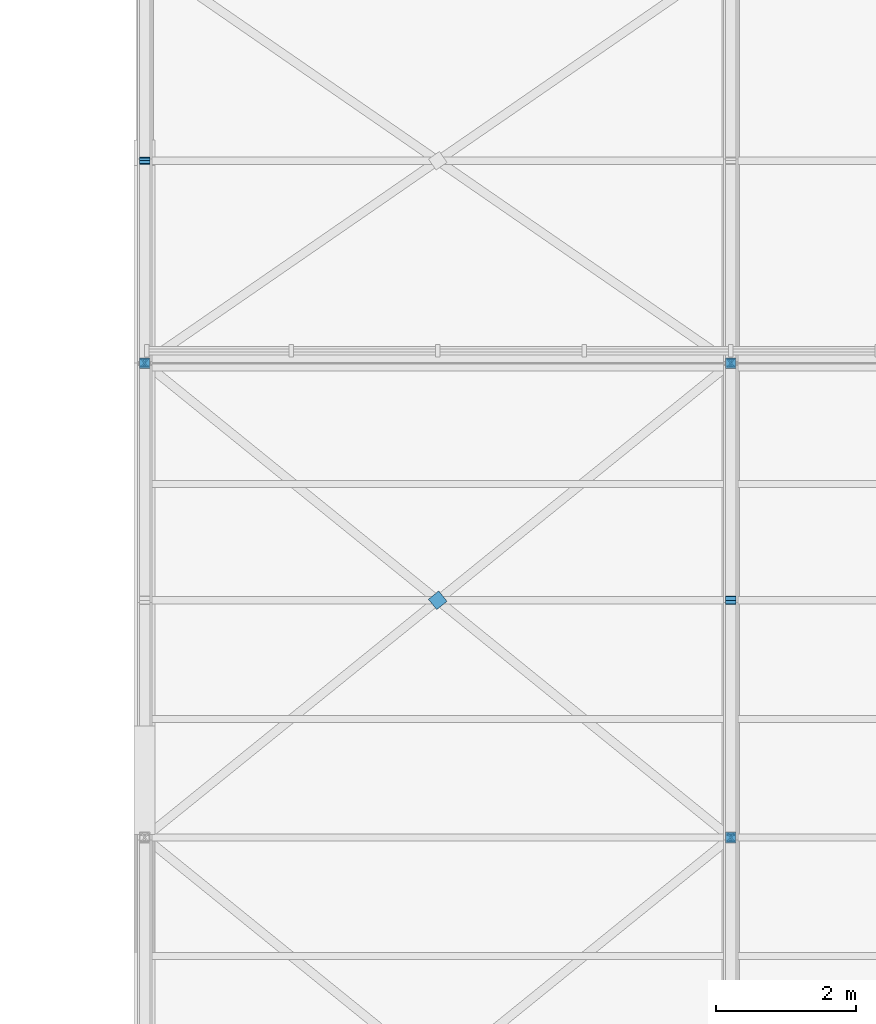
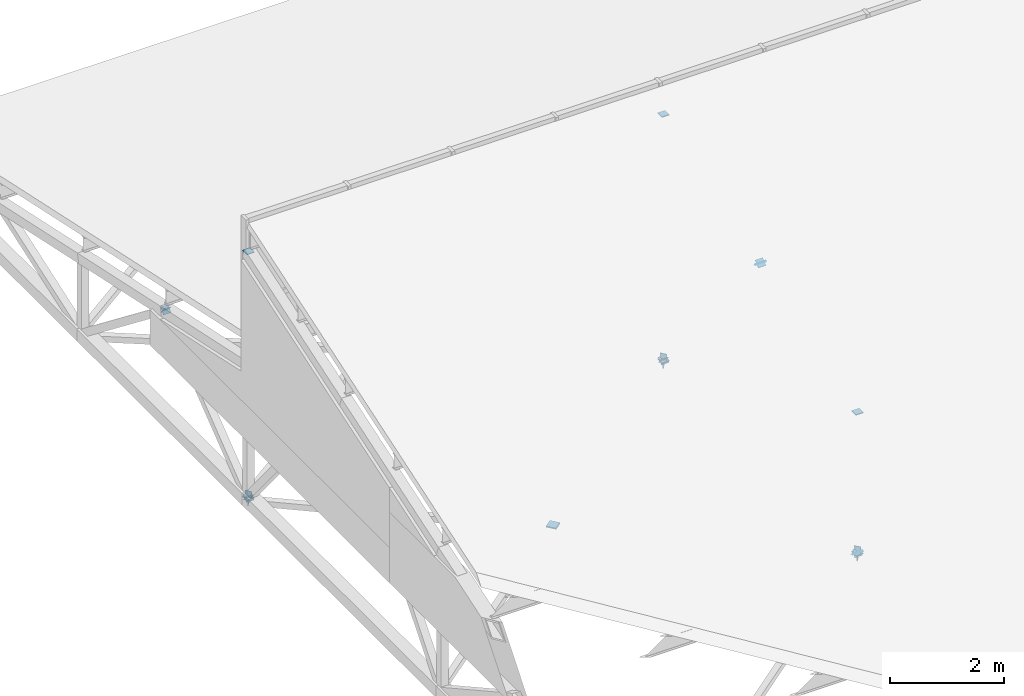
# One storey, part 65 of 89: 23 discrete accessories.
"""IFC4 building model written with IfcOpenShell, lengths in metres."""

from ifc_helpers import new_model, si_unit, direction, frame, origin, origin_2d, place, context, subcontext, project, spatial, rectangle, extrude, material, element, save


model = new_model("IFC4")

# Units and contexts
model_context = context("Model", 3, precision=1e-05, world=origin(), true_north=direction((0.0, 1.0)))
body_context = subcontext(model_context, "Body", "Model", "MODEL_VIEW")
ifc_project = project(units=[si_unit("LENGTHUNIT", "METRE"), si_unit("AREAUNIT", "SQUARE_METRE"), si_unit("VOLUMEUNIT", "CUBIC_METRE"), si_unit("PLANEANGLEUNIT", "RADIAN"), si_unit("MASSUNIT", "GRAM", prefix="KILO")], contexts=[model_context])

# Site, building, storey
site_placement = place(None, origin())
site = spatial("IfcSite", under=ifc_project, at=site_placement, CompositionType="ELEMENT")
building_placement = place(site_placement, origin())
building = spatial("IfcBuilding", under=site, at=building_placement, Name="Hlaing Beacon Police Headquarters", CompositionType="ELEMENT")
storey_placement = place(building_placement, frame((0.0, 0.0, 9.89990234375)))
storey = spatial("IfcBuildingStorey", under=building, at=storey_placement, Name="L02", CompositionType="ELEMENT", Elevation=9.89990234375)

# Discrete accessories
ifc_material = material(Name="Steel ASTM A572 Grade 50", Category="steel")
for number, where, z_axis, x_axis, name in (
    (1, (92.39990234375, 22.0, -1.36474609375), (0.0, 0.0, -1.0), (1.0, 0.0, 0.0), "Gusset plate GP-523"),
    (2, (92.39990234375, 22.0, 3.880859375), (0.0, 0.0, 1.0), (1.0, 0.0, 0.0), "Gusset plate GP-524"),
):
    element("IfcDiscreteAccessory", number, at=place(storey_placement, frame(where, z_axis=z_axis, x_axis=x_axis)), inside=storey, material=ifc_material, Name=name, PredefinedType="BRACKET", context=body_context, shape_type="SweptSolid", body=[
        extrude(rectangle(XDim=0.15234375, YDim=0.15234375, at=origin_2d()), origin(), (0.0, 0.0, 1.0), 0.01611328125),
    ])
for number, where, z_axis, x_axis, name in (
    (3, (92.39990234375, 21.99609375, -1.3681640625), (0.0, 0.634949419501, -0.772553709897), (-1.0, 0.0, 0.0), "Gusset plate GP-536"),
    (4, (92.39990234375, 22.004638671875, -1.369140625), (0.0, -0.789269916933, -0.614046413738), (1.0, 0.0, 0.0), "Gusset plate GP-537"),
    (5, (92.39990234375, 24.89501953125, 0.879638671875), (0.0, 0.789269916933, 0.614046413738), (-1.0, 0.0, 0.0), "Gusset plate GP-538"),
    (6, (92.39990234375, 24.904541015625, 0.879638671875), (0.0, -0.789294969398, 0.614014210978), (1.0, 0.0, 0.0), "Gusset plate GP-539"),
):
    element("IfcDiscreteAccessory", number, at=place(storey_placement, frame(where, z_axis=z_axis, x_axis=x_axis)), inside=storey, material=ifc_material, Name=name, PredefinedType="BRACKET", context=body_context, shape_type="SweptSolid", body=[
        extrude(rectangle(XDim=0.15234375, YDim=0.15234375, at=origin_2d()), origin(), (0.0, 0.0, 1.0), 0.011962890625),
    ])
for number, where, z_axis, x_axis, name in (
    (7, (100.800048828125, 15.199951171875, -1.36474609375), (0.0, 0.0, -1.0), (1.0, 0.0, 0.0), "Gusset plate GP-547"),
    (8, (100.800048828125, 15.199951171875, 1.630859375), (0.0, 0.0, 1.0), (1.0, 0.0, 0.0), "Gusset plate GP-548"),
    (9, (100.800048828125, 22.0, -1.36474609375), (0.0, 0.0, -1.0), (1.0, 0.0, 0.0), "Gusset plate GP-549"),
    (10, (100.800048828125, 22.0, 3.880859375), (0.0, 0.0, 1.0), (1.0, 0.0, 0.0), "Gusset plate GP-550"),
):
    element("IfcDiscreteAccessory", number, at=place(storey_placement, frame(where, z_axis=z_axis, x_axis=x_axis)), inside=storey, material=ifc_material, Name=name, PredefinedType="BRACKET", context=body_context, shape_type="SweptSolid", body=[
        extrude(rectangle(XDim=0.15234375, YDim=0.15234375, at=origin_2d()), origin(), (0.0, 0.0, 1.0), 0.01611328125),
    ])
for number, where, z_axis, x_axis, name in (
    (11, (100.800048828125, 15.19482421875, -1.369873046875), (0.0, 0.874388190335, -0.485227052629), (-1.0, 0.0, 0.0), "Gusset plate GP-558"),
    (12, (100.800048828125, 15.203857421875, -1.3681640625), (0.0, -0.634976630923, -0.772531344465), (1.0, 0.0, 0.0), "Gusset plate GP-559"),
    (13, (100.800048828125, 18.59619140625, 2.75927734375), (0.0, 0.634976630923, 0.772531344465), (-1.0, 0.0, 0.0), "Gusset plate GP-560"),
    (14, (100.800048828125, 18.60400390625, 2.75927734375), (0.0, -0.634949419501, 0.772553709897), (1.0, 0.0, 0.0), "Gusset plate GP-561"),
    (15, (100.800048828125, 21.99609375, -1.3681640625), (0.0, 0.634949419501, -0.772553709897), (-1.0, 0.0, 0.0), "Gusset plate GP-562"),
    (16, (100.800048828125, 22.004638671875, -1.369140625), (0.0, -0.789269916933, -0.614046413738), (1.0, 0.0, 0.0), "Gusset plate GP-563"),
):
    element("IfcDiscreteAccessory", number, at=place(storey_placement, frame(where, z_axis=z_axis, x_axis=x_axis)), inside=storey, material=ifc_material, Name=name, PredefinedType="BRACKET", context=body_context, shape_type="SweptSolid", body=[
        extrude(rectangle(XDim=0.15234375, YDim=0.15234375, at=origin_2d()), origin(), (0.0, 0.0, 1.0), 0.011962890625),
    ])
for number, where, z_axis, x_axis, name in (
    (17, (100.79541015625, 15.1962890625, -1.29931640625), (0.777248027084, 0.629194329595, 0.0), (-0.629194329595, 0.777248027084, 0.0), "Gusset plate GP-676"),
    (18, (100.79541015625, 21.996337890625, -1.29931640625), (0.777248027084, 0.629194329595, 0.0), (-0.629194329595, 0.777248027084, 0.0), "Gusset plate GP-680"),
    (19, (100.79541015625, 15.20361328125, -1.4462890625), (0.777248027084, -0.629194329595, 0.0), (0.629194329595, 0.777248027084, 0.0), "Gusset plate GP-681"),
    (20, (92.404541015625, 21.996337890625, -1.4462890625), (-0.777248027084, 0.629194329595, 0.0), (-0.629194329595, -0.777248027084, 0.0), "Gusset plate GP-682"),
    (21, (92.40478515625, 22.00341796875, -1.29931640625), (-0.822899296848, -0.568187246642, 0.0), (0.568187246642, -0.822899296848, 0.0), "Gusset plate GP-683"),
    (22, (100.795166015625, 22.00341796875, -1.4462890625), (0.822899296848, -0.568187246642, 0.0), (0.568187246642, 0.822899296848, 0.0), "Gusset plate GP-685"),
):
    element("IfcDiscreteAccessory", number, at=place(storey_placement, frame(where, z_axis=z_axis, x_axis=x_axis)), inside=storey, material=ifc_material, Name=name, PredefinedType="BRACKET", context=body_context, shape_type="SweptSolid", body=[
        extrude(rectangle(XDim=0.126953125, YDim=0.126953125, at=origin_2d()), origin(), (0.0, 0.0, 1.0), 0.011962890625),
    ])
discrete_accessory_placement = place(storey_placement, frame((96.60009765625, 18.60009765625, -1.385986328125), z_axis=(0.0, 0.0, 1.0), x_axis=(0.777244870707, 0.629198228668, 0.0)))
element("IfcDiscreteAccessory", 23, at=discrete_accessory_placement, inside=storey, material=ifc_material, Name="Node plate NP-018", PredefinedType="BRACKET", context=body_context, shape_type="SweptSolid", body=[
    extrude(rectangle(XDim=0.1904296875, YDim=0.1904296875, at=origin_2d()), origin(), (0.0, 0.0, 1.0), 0.02587890625),
])

save(model, "model.ifc")
